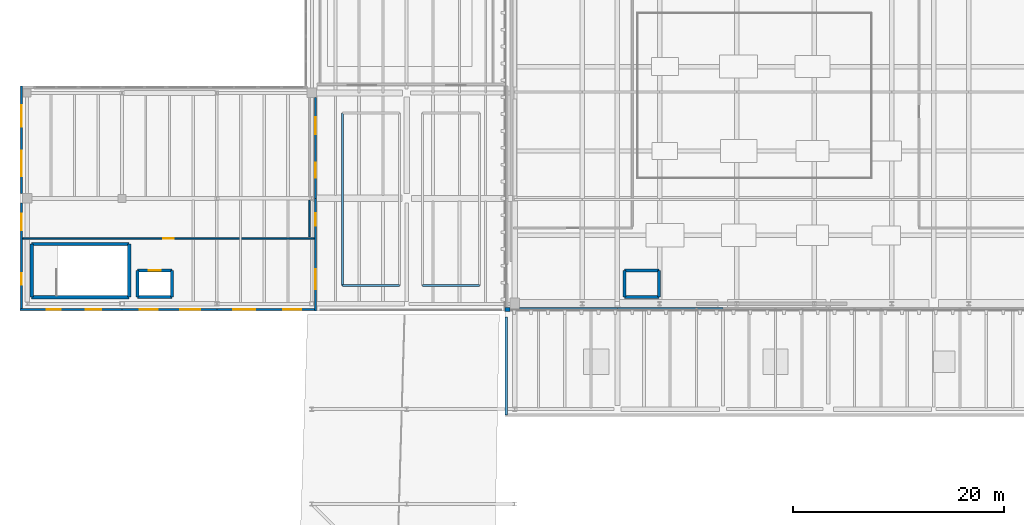
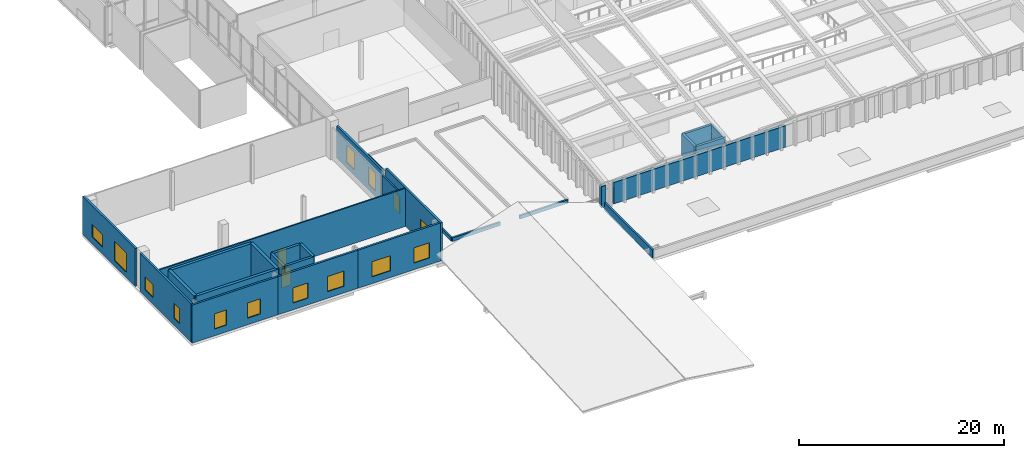
# One storey, part 18 of 30: 28 walls, 14 windows, 2 doors, 16 openings.
"""IFC4 building model written with IfcOpenShell, lengths in metres."""

from ifc_helpers import new_model, si_unit, direction, frame, frame_2d, origin, place, context, subcontext, project, spatial, rectangle, extrude, material, layer, layer_set, type_object, element, fill, save


model = new_model("IFC4")

# Units and contexts
model_context = context("Model", 3, precision=1e-05, world=origin(), true_north=direction((0.0, 1.0)))
body_context = subcontext(model_context, "Body", "Model", "MODEL_VIEW")
ifc_project = project(units=[si_unit("LENGTHUNIT", "METRE"), si_unit("AREAUNIT", "SQUARE_METRE"), si_unit("VOLUMEUNIT", "CUBIC_METRE"), si_unit("PLANEANGLEUNIT", "RADIAN"), si_unit("MASSUNIT", "GRAM", prefix="KILO")], contexts=[model_context])

# Site, building, storey
site_placement = place(None, origin())
site = spatial("IfcSite", under=ifc_project, at=site_placement, CompositionType="ELEMENT")
building_placement = place(site_placement, origin())
building = spatial("IfcBuilding", under=site, at=building_placement, Name="Trimount Lyric Opera House", CompositionType="ELEMENT")
storey_placement = place(building_placement, frame((0.0, 0.0, 24.800048828125)))
storey = spatial("IfcBuildingStorey", under=building, at=storey_placement, Name="L05", CompositionType="ELEMENT", Elevation=24.800048828125)

# Walls
ifc_material_1 = material(Name="Precast concrete C40/50", Category="concrete")
ifc_layer_1 = layer(ifc_material_1, 0.18994140625)
ifc_layer_set_1 = layer_set([ifc_layer_1], Name="WL-PA190")
wall_type_1 = type_object("IfcWallType", Name="WL-PA190", PredefinedType="PARAPET", material=ifc_layer_set_1)
wall_1_placement = place(storey_placement, frame((47.89990234375, 55.719970703125, 0.0), z_axis=(0.0, 0.0, 1.0), x_axis=(1.0, 0.0, 0.0)))
element("IfcWall", 1, at=wall_1_placement, inside=storey, type_object=wall_type_1, Name="West Rehearsal Roof Garden stone planter kerb 1S", PredefinedType="PARAPET", context=body_context, shape_type="SweptSolid", body=[
    extrude(rectangle(XDim=5.41015625, YDim=0.18994140625, at=frame_2d((2.705078125, 0.0))), origin(), (0.0, 0.0, 1.0), 0.419921875),
])
wall_2_placement = place(storey_placement, frame((47.89990234375, 72.080078125, 0.0), z_axis=(0.0, 0.0, 1.0), x_axis=(0.0, -1.0, 0.0)))
element("IfcWall", 2, at=wall_2_placement, inside=storey, type_object=wall_type_1, Name="West Rehearsal Roof Garden stone planter kerb 1W", PredefinedType="PARAPET", context=body_context, shape_type="SweptSolid", body=[
    extrude(rectangle(XDim=16.360107421875, YDim=0.18994140625, at=frame_2d((8.18017578125, 0.0))), origin(), (0.0, 0.0, 1.0), 0.419921875),
])
wall_3_placement = place(storey_placement, frame((55.510009765625, 55.719970703125, 0.0), z_axis=(0.0, 0.0, 1.0), x_axis=(1.0, 0.0, 0.0)))
element("IfcWall", 3, at=wall_3_placement, inside=storey, type_object=wall_type_1, Name="West Rehearsal Roof Garden stone planter kerb 2S", PredefinedType="PARAPET", context=body_context, shape_type="SweptSolid", body=[
    extrude(rectangle(XDim=5.409912109375, YDim=0.18994140625, at=frame_2d((2.705078125, 0.0))), origin(), (0.0, 0.0, 1.0), 0.419921875),
])
ifc_material_2 = material(Name="Precast concrete C40/50", Category="concrete")
ifc_layer_2 = layer(ifc_material_2, 0.2099609375)
ifc_layer_set_2 = layer_set([ifc_layer_2], Name="WL-PA210")
wall_type_2 = type_object("IfcWallType", Name="WL-PA210", PredefinedType="PARAPET", material=ifc_layer_set_2)
wall_4_placement = place(storey_placement, frame((63.4599609375, 43.4599609375, 0.0), z_axis=(0.0, 0.0, 1.0), x_axis=(0.0, 1.0, 0.0)))
element("IfcWall", 4, at=wall_4_placement, inside=storey, type_object=wall_type_2, Name="L05 roof parapet 030", PredefinedType="PARAPET", context=body_context, shape_type="SweptSolid", body=[
    extrude(rectangle(XDim=9.31005859375, YDim=0.2099609375, at=frame_2d((4.655029296875, 0.0))), origin(), (0.0, 0.0, 1.0), 0.949951171875),
])

# Wall, opening, door
ifc_material_3 = material(Name="Fire-Rated Gypsum Board Partition")
ifc_layer_3 = layer(ifc_material_3, 0.14990234375)
ifc_layer_set_3 = layer_set([ifc_layer_3], Name="WL-PT150")
wall_type_3 = type_object("IfcWallType", Name="WL-PT150", PredefinedType="PARTITIONING", material=ifc_layer_set_3)
wall_5_placement = place(storey_placement, frame((17.60009765625, 60.199951171875, 0.0), z_axis=(0.0, 0.0, 1.0), x_axis=(1.0, 0.0, 0.0)))
wall_5 = element("IfcWall", 5, at=wall_5_placement, inside=storey, type_object=wall_type_3, Name="L05 Principal Wardrobe Fitting Loft S partition", PredefinedType="PARTITIONING", context=body_context, shape_type="SweptSolid", body=[
    extrude(rectangle(XDim=27.619873046875, YDim=0.14990234375, at=frame_2d((13.81005859375, 0.0))), origin(), (0.0, 0.0, 1.0), 4.530029296875),
])
opening_1_placement = place(wall_5_placement, frame((13.31005859375, 0.0, 0.0)))
opening_1 = element("IfcOpeningElement", 6, at=opening_1_placement, cuts=wall_5, Name="Opening DT-RM1", PredefinedType="OPENING", context=body_context, shape_type="SweptSolid", body=[
    extrude(rectangle(XDim=1.0, YDim=2.14990234375, at=frame_2d((0.5, 1.074951171875))), frame((0.0, 0.0849609375, 0.0), z_axis=(0.0, -1.0, 0.0), x_axis=(1.0, 0.0, 0.0)), (0.0, 0.0, 1.0), 0.169921875),
])
ifc_material_4 = material(Name="Solid Core White Oak")
door_type_1 = type_object("IfcDoorType", Name="DT-RM1", OperationType="NOTDEFINED", PredefinedType="DOOR", material=ifc_material_4)
door_1_placement = place(opening_1_placement, origin())
door_1 = element("IfcDoor", 7, at=door_1_placement, inside=storey, type_object=door_type_1, Name="D-249", OperationType="SINGLE_SWING_LEFT", OverallHeight=2.14990234375, OverallWidth=1.0, PredefinedType="DOOR", context=body_context, shape_type="SweptSolid", body=[
    extrude(rectangle(XDim=1.0, YDim=2.14990234375, at=frame_2d((0.5, 1.074951171875))), frame((0.0, 0.02490234375, 0.0), z_axis=(0.0, -1.0, 0.0), x_axis=(1.0, 0.0, 0.0)), (0.0, 0.0, 1.0), 0.050048828125),
])
fill(opening_1, door_1)

# Walls
wall_6_placement = place(storey_placement, frame((44.800048828125, 60.35009765625, 0.0), z_axis=(0.0, 0.0, 1.0), x_axis=(0.0, 1.0, 0.0)))
element("IfcWall", 8, at=wall_6_placement, inside=storey, type_object=wall_type_3, Name="L05 Principal Wardrobe Fitting Loft E partition", PredefinedType="PARTITIONING", context=body_context, shape_type="SweptSolid", body=[
    extrude(rectangle(XDim=3.496337890625, YDim=0.14990234375, at=frame_2d((1.748046875, 0.0))), origin(), (0.0, 0.0, 1.0), 4.052978515625),
])
ifc_material_5 = material(Name="Concrete C40/50", Category="concrete")
ifc_layer_4 = layer(ifc_material_5, 0.280029296875)
ifc_layer_set_4 = layer_set([ifc_layer_4], Name="WL-SH280")
wall_type_4 = type_object("IfcWallType", Name="WL-SH280", PredefinedType="SHEAR", material=ifc_layer_set_4)
for number, where, z_axis, x_axis, name in (
    (9, (74.659912109375, 54.659912109375, 0.0), (0.0, 0.0, 1.0), (1.0, 0.0, 0.0), "Lift LF-02 L05 south shaft wall"),
    (10, (77.93994140625, 57.139892578125, 0.0), (0.0, 0.0, 1.0), (-1.0, 0.0, 0.0), "Lift LF-02 L05 north shaft wall"),
):
    element("IfcWall", number, at=place(storey_placement, frame(where, z_axis=z_axis, x_axis=x_axis)), inside=storey, type_object=wall_type_4, Name=name, PredefinedType="SHEAR", context=body_context, shape_type="SweptSolid", body=[
        extrude(rectangle(XDim=3.280029296875, YDim=0.280029296875, at=frame_2d((1.64013671875, 0.0))), origin(), (0.0, 0.0, 1.0), 2.550048828125),
    ])
wall_7_placement = place(storey_placement, frame((74.659912109375, 57.139892578125, 0.0), z_axis=(0.0, 0.0, 1.0), x_axis=(0.0, -1.0, 0.0)))
element("IfcWall", 11, at=wall_7_placement, inside=storey, type_object=wall_type_4, Name="Lift LF-02 L05 west shaft wall", PredefinedType="SHEAR", context=body_context, shape_type="SweptSolid", body=[
    extrude(rectangle(XDim=2.47998046875, YDim=0.280029296875, at=frame_2d((1.239990234375, 0.0))), origin(), (0.0, 0.0, 1.0), 2.58984375),
])
wall_8_placement = place(storey_placement, frame((77.93994140625, 54.659912109375, 0.0), z_axis=(0.0, 0.0, 1.0), x_axis=(0.0, 1.0, 0.0)))
element("IfcWall", 12, at=wall_8_placement, inside=storey, type_object=wall_type_4, Name="Lift LF-02 L05 east shaft wall", PredefinedType="SHEAR", context=body_context, shape_type="SweptSolid", body=[
    extrude(rectangle(XDim=2.47998046875, YDim=0.280029296875, at=frame_2d((1.239990234375, 0.0))), origin(), (0.0, 0.0, 1.0), 2.550048828125),
])
wall_9_placement = place(storey_placement, frame((28.4599609375, 54.659912109375, 0.0), z_axis=(0.0, 0.0, 1.0), x_axis=(1.0, 0.0, 0.0)))
element("IfcWall", 13, at=wall_9_placement, inside=storey, type_object=wall_type_4, Name="Lift LF-06 L05 south shaft wall", PredefinedType="SHEAR", context=body_context, shape_type="SweptSolid", body=[
    extrude(rectangle(XDim=3.280029296875, YDim=0.280029296875, at=frame_2d((1.64013671875, 0.0))), origin(), (0.0, 0.0, 1.0), 4.530029296875),
])

# Wall, opening, door
wall_10_placement = place(storey_placement, frame((31.739990234375, 57.139892578125, 0.0), z_axis=(0.0, 0.0, 1.0), x_axis=(-1.0, 0.0, 0.0)))
wall_10 = element("IfcWall", 14, at=wall_10_placement, inside=storey, type_object=wall_type_4, Name="Lift LF-06 L05 north shaft wall", PredefinedType="SHEAR", context=body_context, shape_type="SweptSolid", body=[
    extrude(rectangle(XDim=3.280029296875, YDim=0.280029296875, at=frame_2d((1.64013671875, 0.0))), origin(), (0.0, 0.0, 1.0), 4.530029296875),
])
opening_2_placement = place(wall_10_placement, frame((1.090087890625, 0.0, 0.0)))
opening_2 = element("IfcOpeningElement", 15, at=opening_2_placement, cuts=wall_10, Name="Opening DT-LD1", PredefinedType="OPENING", context=body_context, shape_type="SweptSolid", body=[
    extrude(rectangle(XDim=1.10009765625, YDim=2.199951171875, at=frame_2d((0.550048828125, 1.10009765625))), frame((0.0, 0.14990234375, 0.0), z_axis=(0.0, -1.0, 0.0), x_axis=(1.0, 0.0, 0.0)), (0.0, 0.0, 1.0), 0.300048828125),
])
ifc_material_6 = material(Name="Brushed Stainless Steel", Category="steel")
door_type_2 = type_object("IfcDoorType", Name="DT-LD1", OperationType="SLIDING_TO_LEFT", PredefinedType="DOOR", material=ifc_material_6)
door_2_placement = place(opening_2_placement, origin())
door_2 = element("IfcDoor", 16, at=door_2_placement, inside=storey, type_object=door_type_2, Name="D-113", OperationType="SLIDING_TO_LEFT", OverallHeight=2.199951171875, OverallWidth=1.10009765625, PredefinedType="DOOR", context=body_context, shape_type="SweptSolid", body=[
    extrude(rectangle(XDim=1.10009765625, YDim=2.199951171875, at=frame_2d((0.550048828125, 1.10009765625))), frame((0.0, 0.02490234375, 0.0), z_axis=(0.0, -1.0, 0.0), x_axis=(1.0, 0.0, 0.0)), (0.0, 0.0, 1.0), 0.050048828125),
])
fill(opening_2, door_2)

# Walls
for number, where, z_axis, x_axis, name in (
    (17, (28.4599609375, 57.139892578125, 0.0), (0.0, 0.0, 1.0), (0.0, -1.0, 0.0), "Lift LF-06 L05 west shaft wall"),
    (18, (31.739990234375, 54.659912109375, 0.0), (0.0, 0.0, 1.0), (0.0, 1.0, 0.0), "Lift LF-06 L05 east shaft wall"),
):
    element("IfcWall", number, at=place(storey_placement, frame(where, z_axis=z_axis, x_axis=x_axis)), inside=storey, type_object=wall_type_4, Name=name, PredefinedType="SHEAR", context=body_context, shape_type="SweptSolid", body=[
        extrude(rectangle(XDim=2.47998046875, YDim=0.280029296875, at=frame_2d((1.239990234375, 0.0))), origin(), (0.0, 0.0, 1.0), 4.530029296875),
    ])
ifc_material_7 = material(Name="Concrete C40/50", Category="concrete")
ifc_layer_5 = layer(ifc_material_7, 0.320068359375)
ifc_layer_set_5 = layer_set([ifc_layer_5], Name="WL-SH320")
wall_type_5 = type_object("IfcWallType", Name="WL-SH320", PredefinedType="SHEAR", material=ifc_layer_set_5)
for number, where, z_axis, x_axis, name in (
    (19, (18.425048828125, 54.625, 0.0), (0.0, 0.0, 1.0), (1.0, 0.0, 0.0), "K6 L05 south shaft wall"),
    (20, (27.675048828125, 59.675048828125, 0.0), (0.0, 0.0, 1.0), (-1.0, 0.0, 0.0), "K6 L05 north shaft wall"),
):
    element("IfcWall", number, at=place(storey_placement, frame(where, z_axis=z_axis, x_axis=x_axis)), inside=storey, type_object=wall_type_5, Name=name, PredefinedType="SHEAR", context=body_context, shape_type="SweptSolid", body=[
        extrude(rectangle(XDim=9.25, YDim=0.320068359375, at=frame_2d((4.625, 0.0))), origin(), (0.0, 0.0, 1.0), 4.530029296875),
    ])
for number, where, z_axis, x_axis, name in (
    (21, (18.425048828125, 59.675048828125, 0.0), (0.0, 0.0, 1.0), (0.0, -1.0, 0.0), "K6 L05 west shaft wall"),
    (22, (27.675048828125, 54.625, 0.0), (0.0, 0.0, 1.0), (0.0, 1.0, 0.0), "K6 L05 east shaft wall"),
):
    element("IfcWall", number, at=place(storey_placement, frame(where, z_axis=z_axis, x_axis=x_axis)), inside=storey, type_object=wall_type_5, Name=name, PredefinedType="SHEAR", context=body_context, shape_type="SweptSolid", body=[
        extrude(rectangle(XDim=5.050048828125, YDim=0.320068359375, at=frame_2d((2.52490234375, 0.0))), origin(), (0.0, 0.0, 1.0), 4.530029296875),
    ])
ifc_material_8 = material(Name="Concrete C40/50", Category="concrete")
ifc_layer_6 = layer(ifc_material_8, 0.35009765625)
ifc_layer_set_6 = layer_set([ifc_layer_6], Name="WL-SH350")
wall_type_6 = type_object("IfcWallType", Name="WL-SH350", PredefinedType="SHEAR", material=ifc_layer_set_6)
wall_11_placement = place(storey_placement, frame((84.0, 53.4599609375, 0.0), z_axis=(0.0, 0.0, 1.0), x_axis=(-1.0, 0.0, 0.0)))
element("IfcWall", 23, at=wall_11_placement, inside=storey, type_object=wall_type_6, Name="L05 exterior facade wall 324", PredefinedType="SHEAR", context=body_context, shape_type="SweptSolid", body=[
    extrude(rectangle(XDim=10.0, YDim=0.35009765625, at=frame_2d((5.0, 0.0))), origin(), (0.0, 0.0, 1.0), 2.550048828125),
])
wall_12_placement = place(storey_placement, frame((74.0, 53.4599609375, 0.0), z_axis=(0.0, 0.0, 1.0), x_axis=(-1.0, 0.0, 0.0)))
element("IfcWall", 24, at=wall_12_placement, inside=storey, type_object=wall_type_6, Name="L05 exterior facade wall 325", PredefinedType="SHEAR", context=body_context, shape_type="SweptSolid", body=[
    extrude(rectangle(XDim=9.2900390625, YDim=0.35009765625, at=frame_2d((4.64501953125, 0.0))), origin(), (0.0, 0.0, 1.0), 2.550048828125),
])
wall_13_placement = place(storey_placement, frame((63.81005859375, 53.4599609375, 0.0), z_axis=(0.0, 0.0, 1.0), x_axis=(-1.0, 0.0, 0.0)))
element("IfcWall", 25, at=wall_13_placement, inside=storey, type_object=wall_type_6, Name="L05 exterior facade wall 325", PredefinedType="SHEAR", context=body_context, shape_type="SweptSolid", body=[
    extrude(rectangle(XDim=0.489990234375, YDim=0.35009765625, at=frame_2d((0.2451171875, 0.0))), origin(), (0.0, 0.0, 1.0), 2.550048828125),
])

# Wall, openings, windows
ifc_material_9 = material(Name="Concrete C35/45", Category="concrete")
ifc_layer_7 = layer(ifc_material_9, 0.219970703125)
ifc_layer_set_7 = layer_set([ifc_layer_7], Name="WL-SW220")
wall_type_7 = type_object("IfcWallType", Name="WL-SW220", PredefinedType="SOLIDWALL", material=ifc_layer_set_7)
wall_14_placement = place(storey_placement, frame((45.360107421875, 73.550048828125, 0.0), z_axis=(0.0, 0.0, 1.0), x_axis=(0.0, -1.0, 0.0)))
wall_14 = element("IfcWall", 26, at=wall_14_placement, inside=storey, type_object=wall_type_7, Name="L05 exterior facade wall 330", PredefinedType="SOLIDWALL", context=body_context, shape_type="SweptSolid", body=[
    extrude(rectangle(XDim=9.550048828125, YDim=0.219970703125, at=frame_2d((4.77490234375, 0.0))), origin(), (0.0, 0.0, 1.0), 3.820068359375),
])
opening_3_placement = place(wall_14_placement, frame((1.8740234375, 0.0, 0.64990234375)))
opening_3 = element("IfcOpeningElement", 27, at=opening_3_placement, cuts=wall_14, Name="Opening WT-12", PredefinedType="OPENING", context=body_context, shape_type="SweptSolid", body=[
    extrude(rectangle(XDim=1.60009765625, YDim=2.050048828125, at=frame_2d((0.800048828125, 1.02490234375))), frame((0.0, 0.1201171875, 0.0), z_axis=(0.0, -1.0, 0.0), x_axis=(1.0, 0.0, 0.0)), (0.0, 0.0, 1.0), 0.239990234375),
])
opening_4_placement = place(wall_14_placement, frame((6.176025390625, 0.0, 0.64990234375)))
opening_4 = element("IfcOpeningElement", 28, at=opening_4_placement, cuts=wall_14, Name="Opening WT-13", PredefinedType="OPENING", context=body_context, shape_type="SweptSolid", body=[
    extrude(rectangle(XDim=1.39990234375, YDim=2.050048828125, at=frame_2d((0.699951171875, 1.02490234375))), frame((0.0, 0.1201171875, 0.0), z_axis=(0.0, -1.0, 0.0), x_axis=(1.0, 0.0, 0.0)), (0.0, 0.0, 1.0), 0.239990234375),
])
ifc_material_10 = material(Name="Low-E Insulated Glazing in Bronze Frame", Category="glass")
window_type_1 = type_object("IfcWindowType", Name="WT-12", PartitioningType="SINGLE_PANEL", PredefinedType="WINDOW", material=ifc_material_10)
window_1_placement = place(opening_3_placement, origin())
window_1 = element("IfcWindow", 29, at=window_1_placement, inside=storey, type_object=window_type_1, Name="Window WT-12-0272", OverallHeight=2.050048828125, OverallWidth=1.60009765625, PartitioningType="SINGLE_PANEL", PredefinedType="WINDOW", context=body_context, shape_type="SweptSolid", body=[
    extrude(rectangle(XDim=1.60009765625, YDim=2.050048828125, at=frame_2d((0.800048828125, 1.02490234375))), frame((0.0, 0.030029296875, 0.0), z_axis=(0.0, -1.0, 0.0), x_axis=(1.0, 0.0, 0.0)), (0.0, 0.0, 1.0), 0.06005859375),
])
fill(opening_3, window_1)
ifc_material_11 = material(Name="Low-E Insulated Glazing in Bronze Frame", Category="glass")
window_type_2 = type_object("IfcWindowType", Name="WT-13", PartitioningType="SINGLE_PANEL", PredefinedType="WINDOW", material=ifc_material_11)
window_2_placement = place(opening_4_placement, origin())
window_2 = element("IfcWindow", 30, at=window_2_placement, inside=storey, type_object=window_type_2, Name="Window WT-13-0273", OverallHeight=2.050048828125, OverallWidth=1.39990234375, PartitioningType="SINGLE_PANEL", PredefinedType="WINDOW", context=body_context, shape_type="SweptSolid", body=[
    extrude(rectangle(XDim=1.39990234375, YDim=2.050048828125, at=frame_2d((0.699951171875, 1.02490234375))), frame((0.0, 0.030029296875, 0.0), z_axis=(0.0, -1.0, 0.0), x_axis=(1.0, 0.0, 0.0)), (0.0, 0.0, 1.0), 0.06005859375),
])
fill(opening_4, window_2)

wall_15_placement = place(storey_placement, frame((45.360107421875, 64.0, 0.0), z_axis=(0.0, 0.0, 1.0), x_axis=(0.0, -1.0, 0.0)))
wall_15 = element("IfcWall", 31, at=wall_15_placement, inside=storey, type_object=wall_type_7, Name="L05 exterior facade wall 331", PredefinedType="SOLIDWALL", context=body_context, shape_type="SweptSolid", body=[
    extrude(rectangle(XDim=10.679931640625, YDim=0.219970703125, at=frame_2d((5.33984375, 0.0))), origin(), (0.0, 0.0, 1.0), 4.530029296875),
])
opening_5_placement = place(wall_15_placement, frame((1.390380859375, 0.0, 0.64990234375)))
opening_5 = element("IfcOpeningElement", 32, at=opening_5_placement, cuts=wall_15, Name="Opening WT-14", PredefinedType="OPENING", context=body_context, shape_type="SweptSolid", body=[
    extrude(rectangle(XDim=1.199951171875, YDim=2.050048828125, at=frame_2d((0.60009765625, 1.02490234375))), frame((0.0, 0.1201171875, 0.0), z_axis=(0.0, -1.0, 0.0), x_axis=(1.0, 0.0, 0.0)), (0.0, 0.0, 1.0), 0.239990234375),
])
opening_6_placement = place(wall_15_placement, frame((6.739501953125, 0.0, 0.800048828125)))
opening_6 = element("IfcOpeningElement", 33, at=opening_6_placement, cuts=wall_15, Name="Opening WT-18", PredefinedType="OPENING", context=body_context, shape_type="SweptSolid", body=[
    extrude(rectangle(XDim=1.89990234375, YDim=1.800048828125, at=frame_2d((0.949951171875, 0.89990234375))), frame((0.0, 0.1201171875, 0.0), z_axis=(0.0, -1.0, 0.0), x_axis=(1.0, 0.0, 0.0)), (0.0, 0.0, 1.0), 0.239990234375),
])
ifc_material_12 = material(Name="Low-E Insulated Glazing in Bronze Frame", Category="glass")
window_type_3 = type_object("IfcWindowType", Name="WT-14", PartitioningType="SINGLE_PANEL", PredefinedType="WINDOW", material=ifc_material_12)
window_3_placement = place(opening_5_placement, origin())
window_3 = element("IfcWindow", 34, at=window_3_placement, inside=storey, type_object=window_type_3, Name="Window WT-14-0274", OverallHeight=2.050048828125, OverallWidth=1.199951171875, PartitioningType="SINGLE_PANEL", PredefinedType="WINDOW", context=body_context, shape_type="SweptSolid", body=[
    extrude(rectangle(XDim=1.199951171875, YDim=2.050048828125, at=frame_2d((0.60009765625, 1.02490234375))), frame((0.0, 0.030029296875, 0.0), z_axis=(0.0, -1.0, 0.0), x_axis=(1.0, 0.0, 0.0)), (0.0, 0.0, 1.0), 0.06005859375),
])
fill(opening_5, window_3)
ifc_material_13 = material(Name="Dressing Suite Acoustic Window")
window_type_4 = type_object("IfcWindowType", Name="WT-18", PartitioningType="DOUBLE_PANEL_VERTICAL", PredefinedType="WINDOW", material=ifc_material_13)
window_4_placement = place(opening_6_placement, origin())
window_4 = element("IfcWindow", 35, at=window_4_placement, inside=storey, type_object=window_type_4, Name="Window WT-18-0275", OverallHeight=1.800048828125, OverallWidth=1.89990234375, PartitioningType="SINGLE_PANEL", PredefinedType="WINDOW", context=body_context, shape_type="SweptSolid", body=[
    extrude(rectangle(XDim=1.89990234375, YDim=1.800048828125, at=frame_2d((0.949951171875, 0.89990234375))), frame((0.0, 0.030029296875, 0.0), z_axis=(0.0, -1.0, 0.0), x_axis=(1.0, 0.0, 0.0)), (0.0, 0.0, 1.0), 0.06005859375),
])
fill(opening_6, window_4)

wall_16_placement = place(storey_placement, frame((45.2451171875, 53.4599609375, 0.0), z_axis=(0.0, 0.0, 1.0), x_axis=(-1.0, 0.0, 0.0)))
wall_16 = element("IfcWall", 36, at=wall_16_placement, inside=storey, type_object=wall_type_7, Name="L05 exterior facade wall 332", PredefinedType="SOLIDWALL", context=body_context, shape_type="SweptSolid", body=[
    extrude(rectangle(XDim=9.2451171875, YDim=0.219970703125, at=frame_2d((4.62255859375, 0.0))), origin(), (0.0, 0.0, 1.0), 4.530029296875),
])
opening_7_placement = place(wall_16_placement, frame((1.238525390625, 0.0, 0.800048828125)))
opening_7 = element("IfcOpeningElement", 37, at=opening_7_placement, cuts=wall_16, Name="Opening WT-19", PredefinedType="OPENING", context=body_context, shape_type="SweptSolid", body=[
    extrude(rectangle(XDim=1.699951171875, YDim=1.800048828125, at=frame_2d((0.85009765625, 0.89990234375))), frame((0.0, 0.1201171875, 0.0), z_axis=(0.0, -1.0, 0.0), x_axis=(1.0, 0.0, 0.0)), (0.0, 0.0, 1.0), 0.239990234375),
])
opening_8_placement = place(wall_16_placement, frame((5.6064453125, 0.0, 0.800048828125)))
opening_8 = element("IfcOpeningElement", 38, at=opening_8_placement, cuts=wall_16, Name="Opening WT-17", PredefinedType="OPENING", context=body_context, shape_type="SweptSolid", body=[
    extrude(rectangle(XDim=2.10009765625, YDim=1.800048828125, at=frame_2d((1.050048828125, 0.89990234375))), frame((0.0, 0.1201171875, 0.0), z_axis=(0.0, -1.0, 0.0), x_axis=(1.0, 0.0, 0.0)), (0.0, 0.0, 1.0), 0.239990234375),
])
ifc_material_14 = material(Name="Dressing Suite Acoustic Window")
window_type_5 = type_object("IfcWindowType", Name="WT-17", PartitioningType="DOUBLE_PANEL_VERTICAL", PredefinedType="WINDOW", material=ifc_material_14)
window_5_placement = place(opening_8_placement, origin())
window_5 = element("IfcWindow", 39, at=window_5_placement, inside=storey, type_object=window_type_5, Name="Window WT-17-0277", OverallHeight=1.800048828125, OverallWidth=2.10009765625, PartitioningType="SINGLE_PANEL", PredefinedType="WINDOW", context=body_context, shape_type="SweptSolid", body=[
    extrude(rectangle(XDim=2.10009765625, YDim=1.800048828125, at=frame_2d((1.050048828125, 0.89990234375))), frame((0.0, 0.030029296875, 0.0), z_axis=(0.0, -1.0, 0.0), x_axis=(1.0, 0.0, 0.0)), (0.0, 0.0, 1.0), 0.06005859375),
])
fill(opening_8, window_5)
ifc_material_15 = material(Name="Dressing Suite Acoustic Window")
window_type_6 = type_object("IfcWindowType", Name="WT-19", PartitioningType="SINGLE_PANEL", PredefinedType="WINDOW", material=ifc_material_15)
window_6_placement = place(opening_7_placement, origin())
window_6 = element("IfcWindow", 40, at=window_6_placement, inside=storey, type_object=window_type_6, Name="Window WT-19-0276", OverallHeight=1.800048828125, OverallWidth=1.699951171875, PartitioningType="SINGLE_PANEL", PredefinedType="WINDOW", context=body_context, shape_type="SweptSolid", body=[
    extrude(rectangle(XDim=1.699951171875, YDim=1.800048828125, at=frame_2d((0.85009765625, 0.89990234375))), frame((0.0, 0.030029296875, 0.0), z_axis=(0.0, -1.0, 0.0), x_axis=(1.0, 0.0, 0.0)), (0.0, 0.0, 1.0), 0.06005859375),
])
fill(opening_7, window_6)

wall_17_placement = place(storey_placement, frame((36.0, 53.4599609375, 0.0), z_axis=(0.0, 0.0, 1.0), x_axis=(-1.0, 0.0, 0.0)))
wall_17 = element("IfcWall", 41, at=wall_17_placement, inside=storey, type_object=wall_type_7, Name="L05 exterior facade wall 333", PredefinedType="SOLIDWALL", context=body_context, shape_type="SweptSolid", body=[
    extrude(rectangle(XDim=9.0, YDim=0.219970703125, at=frame_2d((4.5, 0.0))), origin(), (0.0, 0.0, 1.0), 4.530029296875),
])
opening_9_placement = place(wall_17_placement, frame((1.570068359375, 0.0, 0.800048828125)))
opening_9 = element("IfcOpeningElement", 42, at=opening_9_placement, cuts=wall_17, Name="Opening WT-18", PredefinedType="OPENING", context=body_context, shape_type="SweptSolid", body=[
    extrude(rectangle(XDim=1.89990234375, YDim=1.800048828125, at=frame_2d((0.949951171875, 0.89990234375))), frame((0.0, 0.1201171875, 0.0), z_axis=(0.0, -1.0, 0.0), x_axis=(1.0, 0.0, 0.0)), (0.0, 0.0, 1.0), 0.239990234375),
])
opening_10_placement = place(wall_17_placement, frame((5.6298828125, 0.0, 0.800048828125)))
opening_10 = element("IfcOpeningElement", 43, at=opening_10_placement, cuts=wall_17, Name="Opening WT-19", PredefinedType="OPENING", context=body_context, shape_type="SweptSolid", body=[
    extrude(rectangle(XDim=1.699951171875, YDim=1.800048828125, at=frame_2d((0.85009765625, 0.89990234375))), frame((0.0, 0.1201171875, 0.0), z_axis=(0.0, -1.0, 0.0), x_axis=(1.0, 0.0, 0.0)), (0.0, 0.0, 1.0), 0.239990234375),
])
window_7_placement = place(opening_9_placement, origin())
window_7 = element("IfcWindow", 44, at=window_7_placement, inside=storey, type_object=window_type_4, Name="Window WT-18-0278", OverallHeight=1.800048828125, OverallWidth=1.89990234375, PartitioningType="SINGLE_PANEL", PredefinedType="WINDOW", context=body_context, shape_type="SweptSolid", body=[
    extrude(rectangle(XDim=1.89990234375, YDim=1.800048828125, at=frame_2d((0.949951171875, 0.89990234375))), frame((0.0, 0.030029296875, 0.0), z_axis=(0.0, -1.0, 0.0), x_axis=(1.0, 0.0, 0.0)), (0.0, 0.0, 1.0), 0.06005859375),
])
fill(opening_9, window_7)
window_8_placement = place(opening_10_placement, origin())
window_8 = element("IfcWindow", 45, at=window_8_placement, inside=storey, type_object=window_type_6, Name="Window WT-19-0279", OverallHeight=1.800048828125, OverallWidth=1.699951171875, PartitioningType="SINGLE_PANEL", PredefinedType="WINDOW", context=body_context, shape_type="SweptSolid", body=[
    extrude(rectangle(XDim=1.699951171875, YDim=1.800048828125, at=frame_2d((0.85009765625, 0.89990234375))), frame((0.0, 0.030029296875, 0.0), z_axis=(0.0, -1.0, 0.0), x_axis=(1.0, 0.0, 0.0)), (0.0, 0.0, 1.0), 0.06005859375),
])
fill(opening_10, window_8)

wall_18_placement = place(storey_placement, frame((27.0, 53.4599609375, 0.0), z_axis=(0.0, 0.0, 1.0), x_axis=(-1.0, 0.0, 0.0)))
wall_18 = element("IfcWall", 46, at=wall_18_placement, inside=storey, type_object=wall_type_7, Name="L05 exterior facade wall 334", PredefinedType="SOLIDWALL", context=body_context, shape_type="SweptSolid", body=[
    extrude(rectangle(XDim=9.679931640625, YDim=0.219970703125, at=frame_2d((4.83984375, 0.0))), origin(), (0.0, 0.0, 1.0), 4.530029296875),
])
opening_11_placement = place(wall_18_placement, frame((1.96044921875, 0.0, 0.800048828125)))
opening_11 = element("IfcOpeningElement", 47, at=opening_11_placement, cuts=wall_18, Name="Opening WT-20", PredefinedType="OPENING", context=body_context, shape_type="SweptSolid", body=[
    extrude(rectangle(XDim=1.5, YDim=1.800048828125, at=frame_2d((0.75, 0.89990234375))), frame((0.0, 0.1201171875, 0.0), z_axis=(0.0, -1.0, 0.0), x_axis=(1.0, 0.0, 0.0)), (0.0, 0.0, 1.0), 0.239990234375),
])
opening_12_placement = place(wall_18_placement, frame((5.819580078125, 0.0, 0.800048828125)))
opening_12 = element("IfcOpeningElement", 48, at=opening_12_placement, cuts=wall_18, Name="Opening WT-21", PredefinedType="OPENING", context=body_context, shape_type="SweptSolid", body=[
    extrude(rectangle(XDim=1.300048828125, YDim=1.800048828125, at=frame_2d((0.64990234375, 0.89990234375))), frame((0.0, 0.1201171875, 0.0), z_axis=(0.0, -1.0, 0.0), x_axis=(1.0, 0.0, 0.0)), (0.0, 0.0, 1.0), 0.239990234375),
])
ifc_material_16 = material(Name="Dressing Suite Acoustic Window")
window_type_7 = type_object("IfcWindowType", Name="WT-20", PartitioningType="SINGLE_PANEL", PredefinedType="WINDOW", material=ifc_material_16)
window_9_placement = place(opening_11_placement, origin())
window_9 = element("IfcWindow", 49, at=window_9_placement, inside=storey, type_object=window_type_7, Name="Window WT-20-0280", OverallHeight=1.800048828125, OverallWidth=1.5, PartitioningType="SINGLE_PANEL", PredefinedType="WINDOW", context=body_context, shape_type="SweptSolid", body=[
    extrude(rectangle(XDim=1.5, YDim=1.800048828125, at=frame_2d((0.75, 0.89990234375))), frame((0.0, 0.030029296875, 0.0), z_axis=(0.0, -1.0, 0.0), x_axis=(1.0, 0.0, 0.0)), (0.0, 0.0, 1.0), 0.06005859375),
])
fill(opening_11, window_9)
ifc_material_17 = material(Name="Dressing Suite Acoustic Window")
window_type_8 = type_object("IfcWindowType", Name="WT-21", PartitioningType="SINGLE_PANEL", PredefinedType="WINDOW", material=ifc_material_17)
window_10_placement = place(opening_12_placement, origin())
window_10 = element("IfcWindow", 50, at=window_10_placement, inside=storey, type_object=window_type_8, Name="Window WT-21-0281", OverallHeight=1.800048828125, OverallWidth=1.300048828125, PartitioningType="SINGLE_PANEL", PredefinedType="WINDOW", context=body_context, shape_type="SweptSolid", body=[
    extrude(rectangle(XDim=1.300048828125, YDim=1.800048828125, at=frame_2d((0.64990234375, 0.89990234375))), frame((0.0, 0.030029296875, 0.0), z_axis=(0.0, -1.0, 0.0), x_axis=(1.0, 0.0, 0.0)), (0.0, 0.0, 1.0), 0.06005859375),
])
fill(opening_12, window_10)

wall_19_placement = place(storey_placement, frame((17.4599609375, 53.574951171875, 0.0), z_axis=(0.0, 0.0, 1.0), x_axis=(0.0, 1.0, 0.0)))
wall_19 = element("IfcWall", 51, at=wall_19_placement, inside=storey, type_object=wall_type_7, Name="L05 exterior facade wall 335", PredefinedType="SOLIDWALL", context=body_context, shape_type="SweptSolid", body=[
    extrude(rectangle(XDim=9.97509765625, YDim=0.219970703125, at=frame_2d((4.987548828125, 0.0))), origin(), (0.0, 0.0, 1.0), 4.530029296875),
])
opening_13_placement = place(wall_19_placement, frame((2.242919921875, 0.0, 0.800048828125)))
opening_13 = element("IfcOpeningElement", 52, at=opening_13_placement, cuts=wall_19, Name="Opening WT-22", PredefinedType="OPENING", context=body_context, shape_type="SweptSolid", body=[
    extrude(rectangle(XDim=1.10009765625, YDim=1.800048828125, at=frame_2d((0.550048828125, 0.89990234375))), frame((0.0, 0.1201171875, 0.0), z_axis=(0.0, -1.0, 0.0), x_axis=(1.0, 0.0, 0.0)), (0.0, 0.0, 1.0), 0.239990234375),
])
opening_14_placement = place(wall_19_placement, frame((7.382080078125, 0.0, 0.800048828125)))
opening_14 = element("IfcOpeningElement", 53, at=opening_14_placement, cuts=wall_19, Name="Opening WT-26", PredefinedType="OPENING", context=body_context, shape_type="SweptSolid", body=[
    extrude(rectangle(XDim=1.60009765625, YDim=1.5, at=frame_2d((0.800048828125, 0.75))), frame((0.0, 0.1201171875, 0.0), z_axis=(0.0, -1.0, 0.0), x_axis=(1.0, 0.0, 0.0)), (0.0, 0.0, 1.0), 0.239990234375),
])
ifc_material_18 = material(Name="Practice Room Acoustic Window")
window_type_9 = type_object("IfcWindowType", Name="WT-22", PartitioningType="SINGLE_PANEL", PredefinedType="WINDOW", material=ifc_material_18)
window_11_placement = place(opening_13_placement, origin())
window_11 = element("IfcWindow", 54, at=window_11_placement, inside=storey, type_object=window_type_9, Name="Window WT-22-0282", OverallHeight=1.800048828125, OverallWidth=1.10009765625, PartitioningType="SINGLE_PANEL", PredefinedType="WINDOW", context=body_context, shape_type="SweptSolid", body=[
    extrude(rectangle(XDim=1.10009765625, YDim=1.800048828125, at=frame_2d((0.550048828125, 0.89990234375))), frame((0.0, 0.030029296875, 0.0), z_axis=(0.0, -1.0, 0.0), x_axis=(1.0, 0.0, 0.0)), (0.0, 0.0, 1.0), 0.06005859375),
])
fill(opening_13, window_11)
ifc_material_19 = material(Name="Clerestory Ribbon Glazing", Category="glass")
window_type_10 = type_object("IfcWindowType", Name="WT-26", PartitioningType="SINGLE_PANEL", PredefinedType="WINDOW", material=ifc_material_19)
window_12_placement = place(opening_14_placement, origin())
window_12 = element("IfcWindow", 55, at=window_12_placement, inside=storey, type_object=window_type_10, Name="Window WT-26-0283", OverallHeight=1.5, OverallWidth=1.60009765625, PartitioningType="SINGLE_PANEL", PredefinedType="WINDOW", context=body_context, shape_type="SweptSolid", body=[
    extrude(rectangle(XDim=1.60009765625, YDim=1.5, at=frame_2d((0.800048828125, 0.75))), frame((0.0, 0.030029296875, 0.0), z_axis=(0.0, -1.0, 0.0), x_axis=(1.0, 0.0, 0.0)), (0.0, 0.0, 1.0), 0.06005859375),
])
fill(opening_14, window_12)

wall_20_placement = place(storey_placement, frame((17.4599609375, 64.449951171875, 0.0), z_axis=(0.0, 0.0, 1.0), x_axis=(0.0, 1.0, 0.0)))
wall_20 = element("IfcWall", 56, at=wall_20_placement, inside=storey, type_object=wall_type_7, Name="L05 exterior facade wall 336", PredefinedType="SOLIDWALL", context=body_context, shape_type="SweptSolid", body=[
    extrude(rectangle(XDim=10.22998046875, YDim=0.219970703125, at=frame_2d((5.114990234375, 0.0))), origin(), (0.0, 0.0, 1.0), 4.530029296875),
])
opening_15_placement = place(wall_20_placement, frame((1.664306640625, 0.0, 0.64990234375)))
opening_15 = element("IfcOpeningElement", 57, at=opening_15_placement, cuts=wall_20, Name="Opening WT-01", PredefinedType="OPENING", context=body_context, shape_type="SweptSolid", body=[
    extrude(rectangle(XDim=2.39990234375, YDim=2.300048828125, at=frame_2d((1.199951171875, 1.14990234375))), frame((0.0, 0.1201171875, 0.0), z_axis=(0.0, -1.0, 0.0), x_axis=(1.0, 0.0, 0.0)), (0.0, 0.0, 1.0), 0.239990234375),
])
opening_16_placement = place(wall_20_placement, frame((6.365478515625, 0.0, 0.800048828125)))
opening_16 = element("IfcOpeningElement", 58, at=opening_16_placement, cuts=wall_20, Name="Opening WT-25", PredefinedType="OPENING", context=body_context, shape_type="SweptSolid", body=[
    extrude(rectangle(XDim=2.0, YDim=1.5, at=frame_2d((1.0, 0.75))), frame((0.0, 0.1201171875, 0.0), z_axis=(0.0, -1.0, 0.0), x_axis=(1.0, 0.0, 0.0)), (0.0, 0.0, 1.0), 0.239990234375),
])
ifc_material_20 = material(Name="Triple Acoustic Glazing in Aluminium Frame", Category="aluminium")
window_type_11 = type_object("IfcWindowType", Name="WT-01", PartitioningType="DOUBLE_PANEL_VERTICAL", PredefinedType="WINDOW", material=ifc_material_20)
window_13_placement = place(opening_15_placement, origin())
window_13 = element("IfcWindow", 59, at=window_13_placement, inside=storey, type_object=window_type_11, Name="Window WT-01-0284", OverallHeight=2.300048828125, OverallWidth=2.39990234375, PartitioningType="SINGLE_PANEL", PredefinedType="WINDOW", context=body_context, shape_type="SweptSolid", body=[
    extrude(rectangle(XDim=2.39990234375, YDim=2.300048828125, at=frame_2d((1.199951171875, 1.14990234375))), frame((0.0, 0.030029296875, 0.0), z_axis=(0.0, -1.0, 0.0), x_axis=(1.0, 0.0, 0.0)), (0.0, 0.0, 1.0), 0.06005859375),
])
fill(opening_15, window_13)
ifc_material_21 = material(Name="Clerestory Ribbon Glazing", Category="glass")
window_type_12 = type_object("IfcWindowType", Name="WT-25", PartitioningType="DOUBLE_PANEL_HORIZONTAL", PredefinedType="WINDOW", material=ifc_material_21)
window_14_placement = place(opening_16_placement, origin())
window_14 = element("IfcWindow", 60, at=window_14_placement, inside=storey, type_object=window_type_12, Name="Window WT-25-0285", OverallHeight=1.5, OverallWidth=2.0, PartitioningType="SINGLE_PANEL", PredefinedType="WINDOW", context=body_context, shape_type="SweptSolid", body=[
    extrude(rectangle(XDim=2.0, YDim=1.5, at=frame_2d((1.0, 0.75))), frame((0.0, 0.030029296875, 0.0), z_axis=(0.0, -1.0, 0.0), x_axis=(1.0, 0.0, 0.0)), (0.0, 0.0, 1.0), 0.06005859375),
])
fill(opening_16, window_14)

save(model, "model.ifc")
